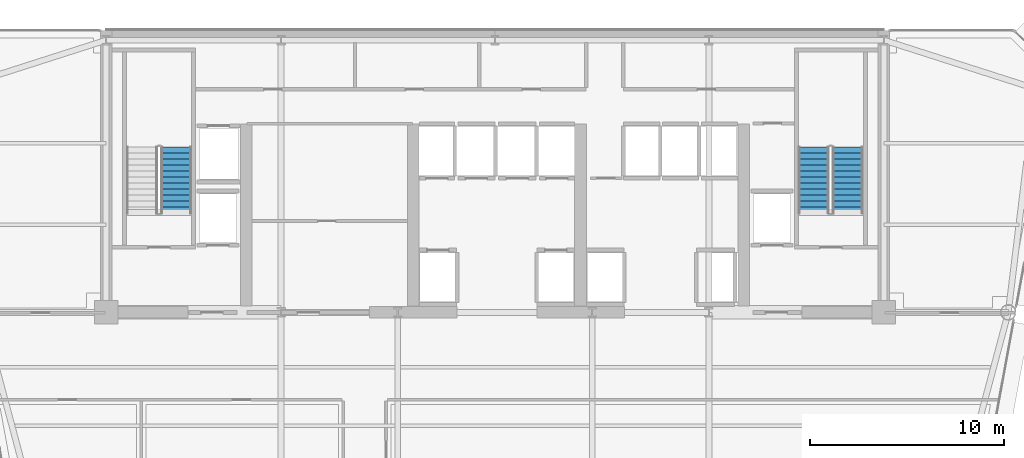
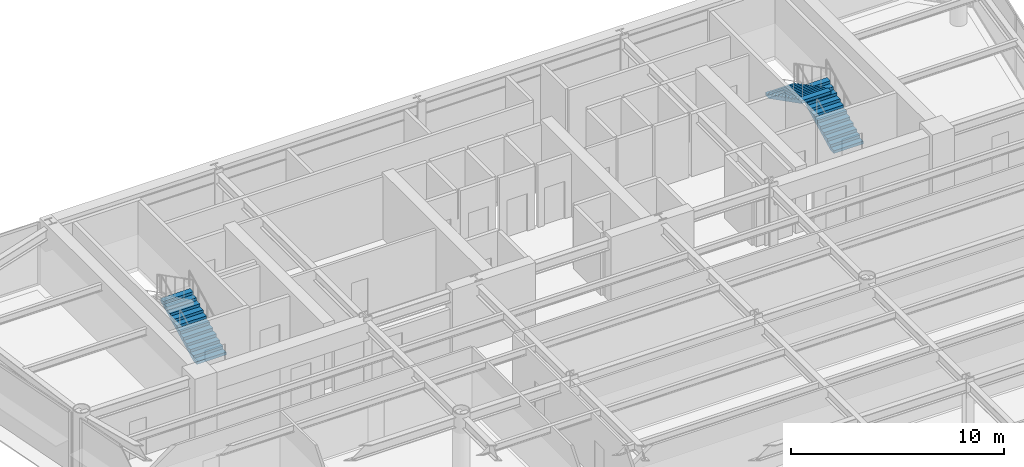
# One storey, part 12 of 16: 3 stair flights, 2 elements without a shape of their own.
"""IFC4 building model written with IfcOpenShell, lengths in metres."""

from ifc_helpers import new_model, si_unit, direction, frame, origin, place, context, subcontext, project, spatial, polyline, outline, extrude, material, type_object, element, aggregate, save


model = new_model("IFC4")

# Units and contexts
model_context = context("Model", 3, precision=1e-05, world=origin(), true_north=direction((0.0, 1.0)))
body_context = subcontext(model_context, "Body", "Model", "MODEL_VIEW")
ifc_project = project(units=[si_unit("LENGTHUNIT", "METRE"), si_unit("AREAUNIT", "SQUARE_METRE"), si_unit("VOLUMEUNIT", "CUBIC_METRE"), si_unit("PLANEANGLEUNIT", "RADIAN"), si_unit("MASSUNIT", "GRAM", prefix="KILO")], contexts=[model_context])

# Site, building, storey
site_placement = place(None, origin())
site = spatial("IfcSite", under=ifc_project, at=site_placement, CompositionType="ELEMENT")
building_placement = place(site_placement, origin())
building = spatial("IfcBuilding", under=site, at=building_placement, Name="Vaeldorn Concourse Tower", CompositionType="ELEMENT")
storey_placement = place(building_placement, frame((0.0, 0.0, 195.60009765625)))
storey = spatial("IfcBuildingStorey", under=building, at=storey_placement, Name="L50", CompositionType="ELEMENT", Elevation=195.60009765625)

# Stair, stair flight
ifc_material = material(Name="Precast concrete C40/50", Category="concrete")
stair_type = type_object("IfcStairType", Name="STR-DOG-24x158", PredefinedType="HALF_TURN_STAIR", material=ifc_material)
stair_1_placement = place(storey_placement, origin())
stair_1 = element("IfcStair", 1, at=stair_1_placement, inside=storey, type_object=stair_type, Name="L50 West Core Exit Stair ST-1", PredefinedType="HALF_TURN_STAIR")
stair_flight_type = type_object("IfcStairFlightType", Name="STF-STR-12x158", PredefinedType="STRAIGHT", material=ifc_material)
stair_flight_1_placement = place(storey_placement, frame((17.60009765625, 41.60009765625, 0.0), z_axis=(0.0, 0.0, 1.0), x_axis=(0.0, 1.0, 0.0)))
stair_flight_1 = element("IfcStairFlight", 2, at=stair_flight_1_placement, type_object=stair_flight_type, Name="ST-1 flight 1", NumberOfRisers=12, NumberOfTreads=11, PredefinedType="STRAIGHT", RiserHeight=0.158333333, TreadLength=0.31, context=body_context, shape_type="SweptSolid", body=[
    extrude(outline(polyline([(0.0, 0.0), (0.0, 0.158447265625), (0.31005859375, 0.158447265625), (0.31005859375, 0.316650390625), (0.6201171875, 0.316650390625), (0.6201171875, 0.47509765625), (0.929931640625, 0.47509765625), (0.929931640625, 0.63330078125), (1.239990234375, 0.63330078125), (1.239990234375, 0.791748046875), (1.550048828125, 0.791748046875), (1.550048828125, 0.949951171875), (1.860107421875, 0.949951171875), (1.860107421875, 1.1083984375), (2.169921875, 1.1083984375), (2.169921875, 1.2666015625), (2.47998046875, 1.2666015625), (2.47998046875, 1.425048828125), (2.7900390625, 1.425048828125), (2.7900390625, 1.583251953125), (3.10009765625, 1.583251953125), (3.10009765625, 1.74169921875), (3.409912109375, 1.74169921875), (3.409912109375, 1.89990234375), (3.409912109375, 1.5732421875), (0.32958984375, 0.0), (0.0, 0.0)])), frame((0.0, 0.800048828125, 0.0), z_axis=(0.0, -1.0, 0.0), x_axis=(1.0, 0.0, 0.0)), (0.0, 0.0, 1.0), 1.60009765625),
])
aggregate(stair_1, [stair_flight_1])

# Stair, stair flights
stair_2_placement = place(storey_placement, origin())
stair_2 = element("IfcStair", 3, at=stair_2_placement, inside=storey, type_object=stair_type, Name="L50 East Core Exit Stair ST-2", PredefinedType="HALF_TURN_STAIR")
stair_flight_2_placement = place(storey_placement, frame((52.14990234375, 41.60009765625, 0.0), z_axis=(0.0, 0.0, 1.0), x_axis=(0.0, 1.0, 0.0)))
stair_flight_2 = element("IfcStairFlight", 4, at=stair_flight_2_placement, type_object=stair_flight_type, Name="ST-2 flight 1", NumberOfRisers=12, NumberOfTreads=11, PredefinedType="STRAIGHT", RiserHeight=0.158333333, TreadLength=0.31, context=body_context, shape_type="SweptSolid", body=[
    extrude(outline(polyline([(0.0, 0.0), (0.0, 0.158447265625), (0.31005859375, 0.158447265625), (0.31005859375, 0.316650390625), (0.6201171875, 0.316650390625), (0.6201171875, 0.47509765625), (0.929931640625, 0.47509765625), (0.929931640625, 0.63330078125), (1.239990234375, 0.63330078125), (1.239990234375, 0.791748046875), (1.550048828125, 0.791748046875), (1.550048828125, 0.949951171875), (1.860107421875, 0.949951171875), (1.860107421875, 1.1083984375), (2.169921875, 1.1083984375), (2.169921875, 1.2666015625), (2.47998046875, 1.2666015625), (2.47998046875, 1.425048828125), (2.7900390625, 1.425048828125), (2.7900390625, 1.583251953125), (3.10009765625, 1.583251953125), (3.10009765625, 1.74169921875), (3.409912109375, 1.74169921875), (3.409912109375, 1.89990234375), (3.409912109375, 1.5732421875), (0.32958984375, 0.0), (0.0, 0.0)])), frame((0.0, 0.800048828125, 0.0), z_axis=(0.0, -1.0, 0.0), x_axis=(1.0, 0.0, 0.0)), (0.0, 0.0, 1.0), 1.60009765625),
])
stair_flight_3_placement = place(storey_placement, frame((50.39990234375, 45.010009765625, 1.89990234375), z_axis=(0.0, 0.0, 1.0), x_axis=(0.0, -1.0, 0.0)))
stair_flight_3 = element("IfcStairFlight", 5, at=stair_flight_3_placement, type_object=stair_flight_type, Name="ST-2 flight 2", NumberOfRisers=12, NumberOfTreads=11, PredefinedType="STRAIGHT", RiserHeight=0.158333333, TreadLength=0.31, context=body_context, shape_type="SweptSolid", body=[
    extrude(outline(polyline([(0.0, 0.0), (0.0, 0.158447265625), (0.31005859375, 0.158447265625), (0.31005859375, 0.316650390625), (0.6201171875, 0.316650390625), (0.6201171875, 0.47509765625), (0.929931640625, 0.47509765625), (0.929931640625, 0.63330078125), (1.239990234375, 0.63330078125), (1.239990234375, 0.791748046875), (1.550048828125, 0.791748046875), (1.550048828125, 0.949951171875), (1.860107421875, 0.949951171875), (1.860107421875, 1.1083984375), (2.169921875, 1.1083984375), (2.169921875, 1.2666015625), (2.47998046875, 1.2666015625), (2.47998046875, 1.425048828125), (2.7900390625, 1.425048828125), (2.7900390625, 1.583251953125), (3.10009765625, 1.583251953125), (3.10009765625, 1.74169921875), (3.409912109375, 1.74169921875), (3.409912109375, 1.89990234375), (3.409912109375, 1.5732421875), (0.32958984375, 0.0), (0.0, 0.0)])), frame((0.0, 0.800048828125, 0.0), z_axis=(0.0, -1.0, 0.0), x_axis=(1.0, 0.0, 0.0)), (0.0, 0.0, 1.0), 1.60009765625),
])
aggregate(stair_2, [stair_flight_2, stair_flight_3])

save(model, "model.ifc")
